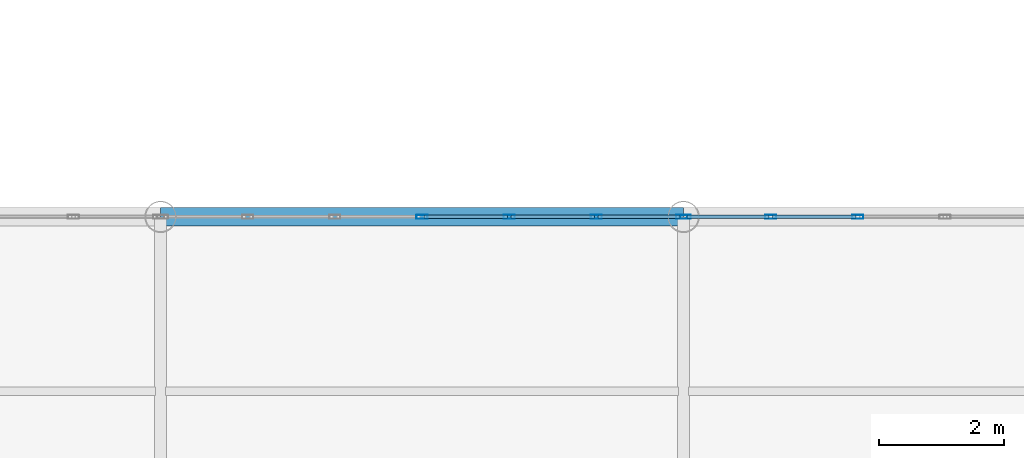
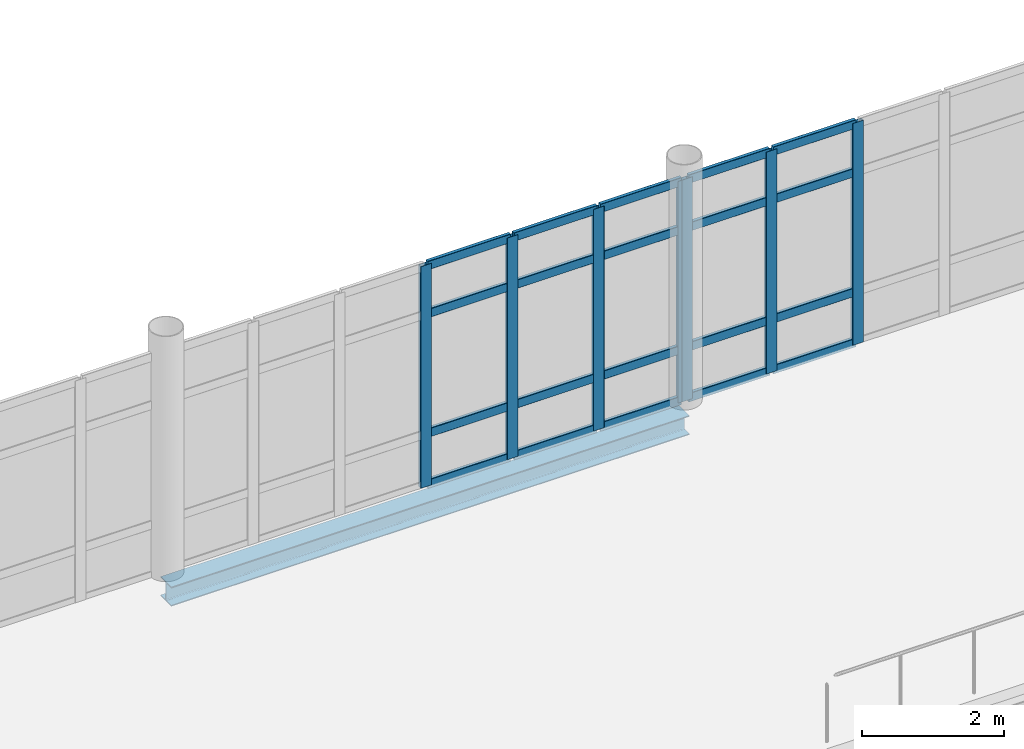
# One storey, part 69 of 163: 27 members, 1 beam, 2 elements without a shape of their own.
"""IFC4 building model written with IfcOpenShell, lengths in metres."""

from ifc_helpers import new_model, si_unit, direction, frame, origin, origin_2d, place, context, subcontext, project, spatial, hollow_rectangle, i_section, extrude, material, layer, layer_set, material_profile, profile_set, type_object, element, aggregate, save


model = new_model("IFC4")

# Units and contexts
model_context = context("Model", 3, precision=1e-05, world=origin(), true_north=direction((0.0, 1.0)))
body_context = subcontext(model_context, "Body", "Model", "MODEL_VIEW")
ifc_project = project(units=[si_unit("LENGTHUNIT", "METRE"), si_unit("AREAUNIT", "SQUARE_METRE"), si_unit("VOLUMEUNIT", "CUBIC_METRE"), si_unit("PLANEANGLEUNIT", "RADIAN"), si_unit("MASSUNIT", "GRAM", prefix="KILO")], contexts=[model_context])

# Site, building, storey
site_placement = place(None, origin())
site = spatial("IfcSite", under=ifc_project, at=site_placement, CompositionType="ELEMENT")
building_placement = place(site_placement, origin())
building = spatial("IfcBuilding", under=site, at=building_placement, Name="Qalvenar Corner Mobility Hub", CompositionType="ELEMENT")
storey_placement = place(building_placement, frame((0.0, 0.0, 4.800048828125)))
storey = spatial("IfcBuildingStorey", under=building, at=storey_placement, Name="L01", CompositionType="ELEMENT", Elevation=4.800048828125)

# Beam
ifc_material_1 = material(Name="Steel S355", Category="steel")
ifc_material_profile_1 = material_profile(ifc_material_1, i_section(OverallWidth=0.300048828125, OverallDepth=0.330078125, WebThickness=0.009521484375, FlangeThickness=0.0166015625, FilletRadius=0.027099609375, at=origin_2d()), Name="HEA340")
ifc_profile_set_1 = profile_set([ifc_material_profile_1], Name="Steel S355")
beam_type = type_object("IfcBeamType", Name="BM-SPN340", PredefinedType="SPANDREL", material=ifc_profile_set_1)
beam_placement = place(storey_placement, frame((84.0, 33.60009765625, -0.344970703125), z_axis=(1.0, 0.0, 0.0), x_axis=(0.0, 1.0, 0.0)))
element("IfcBeam", 1, at=beam_placement, inside=storey, type_object=beam_type, Name="Primary Steel Girder GX-0954", PredefinedType="SPANDREL", context=body_context, shape_type="SweptSolid", body=[
    extrude(i_section(OverallWidth=0.300048828125, OverallDepth=0.330078125, WebThickness=0.009521484375, FlangeThickness=0.0166015625, FilletRadius=0.027099609375, at=origin_2d()), origin(), (0.0, 0.0, 1.0), 8.39990234375),
])

# Curtain wall, members
ifc_material_2 = material(Name="Anodised Aluminium and Low-E Glazing", Category="aluminium")
ifc_layer = layer(ifc_material_2, 0.179931640625)
ifc_layer_set = layer_set([ifc_layer], Name="Anodised Aluminium and Low-E Glazing")
curtain_wall_type = type_object("IfcCurtainWallType", Name="CW-CONC-84X42", PredefinedType="NOTDEFINED", material=ifc_layer_set)
curtain_wall_1_placement = place(storey_placement, origin())
curtain_wall_1 = element("IfcCurtainWall", 2, at=curtain_wall_1_placement, inside=storey, type_object=curtain_wall_type, Name="Glazed Curtain Wall CW-V1-L01-N4", PredefinedType="NOTDEFINED")
ifc_material_3 = material(Name="Anodised Aluminium 6063-T6", Category="aluminium")
ifc_material_profile_2 = material_profile(ifc_material_3, hollow_rectangle(XDim=0.06494140625, YDim=0.179931640625, WallThickness=0.00390625, InnerFilletRadius=0.00390625, OuterFilletRadius=0.008056640625, at=origin_2d()), Name="RHS180x65x4")
ifc_profile_set_2 = profile_set([ifc_material_profile_2], Name="Anodised Aluminium 6063-T6")
member_type_1 = type_object("IfcMemberType", Name="CW-MUL180", PredefinedType="MULLION", material=ifc_profile_set_2)
member_1_placement = place(storey_placement, frame((92.3701171875, 33.60009765625, 0.0), z_axis=(0.0, 0.0, 1.0), x_axis=(0.0, -1.0, 0.0)))
member_1 = element("IfcMember", 3, at=member_1_placement, type_object=member_type_1, Name="CW-02 mullion 1", PredefinedType="MULLION", context=body_context, shape_type="SweptSolid", body=[
    extrude(hollow_rectangle(XDim=0.06494140625, YDim=0.179931640625, WallThickness=0.00390625, InnerFilletRadius=0.00390625, OuterFilletRadius=0.008056640625, at=origin_2d()), origin(), (0.0, 0.0, 1.0), 3.800048828125),
])
member_2_placement = place(storey_placement, frame((91.0, 33.60009765625, 0.0), z_axis=(0.0, 0.0, 1.0), x_axis=(0.0, -1.0, 0.0)))
member_2 = element("IfcMember", 4, at=member_2_placement, type_object=member_type_1, Name="CW-02 mullion 2", PredefinedType="MULLION", context=body_context, shape_type="SweptSolid", body=[
    extrude(hollow_rectangle(XDim=0.06494140625, YDim=0.179931640625, WallThickness=0.00390625, InnerFilletRadius=0.00390625, OuterFilletRadius=0.008056640625, at=origin_2d()), origin(), (0.0, 0.0, 1.0), 3.800048828125),
])
member_3_placement = place(storey_placement, frame((89.60009765625, 33.60009765625, 0.0), z_axis=(0.0, 0.0, 1.0), x_axis=(0.0, -1.0, 0.0)))
member_3 = element("IfcMember", 5, at=member_3_placement, type_object=member_type_1, Name="CW-02 mullion 3", PredefinedType="MULLION", context=body_context, shape_type="SweptSolid", body=[
    extrude(hollow_rectangle(XDim=0.06494140625, YDim=0.179931640625, WallThickness=0.00390625, InnerFilletRadius=0.00390625, OuterFilletRadius=0.008056640625, at=origin_2d()), origin(), (0.0, 0.0, 1.0), 3.800048828125),
])
member_4_placement = place(storey_placement, frame((88.199951171875, 33.60009765625, 0.0), z_axis=(0.0, 0.0, 1.0), x_axis=(0.0, -1.0, 0.0)))
member_4 = element("IfcMember", 6, at=member_4_placement, type_object=member_type_1, Name="CW-02 mullion 4", PredefinedType="MULLION", context=body_context, shape_type="SweptSolid", body=[
    extrude(hollow_rectangle(XDim=0.06494140625, YDim=0.179931640625, WallThickness=0.00390625, InnerFilletRadius=0.00390625, OuterFilletRadius=0.008056640625, at=origin_2d()), origin(), (0.0, 0.0, 1.0), 3.800048828125),
])

curtain_wall_2_placement = place(storey_placement, origin())
curtain_wall_2 = element("IfcCurtainWall", 7, at=curtain_wall_2_placement, inside=storey, type_object=curtain_wall_type, Name="Glazed Curtain Wall CW-V1-L01-N5", PredefinedType="NOTDEFINED")
member_5_placement = place(storey_placement, frame((95.199951171875, 33.60009765625, 0.0), z_axis=(0.0, 0.0, 1.0), x_axis=(0.0, -1.0, 0.0)))
member_5 = element("IfcMember", 8, at=member_5_placement, type_object=member_type_1, Name="CW-02 mullion 5", PredefinedType="MULLION", context=body_context, shape_type="SweptSolid", body=[
    extrude(hollow_rectangle(XDim=0.06494140625, YDim=0.179931640625, WallThickness=0.00390625, InnerFilletRadius=0.00390625, OuterFilletRadius=0.008056640625, at=origin_2d()), origin(), (0.0, 0.0, 1.0), 3.800048828125),
])
member_6_placement = place(storey_placement, frame((93.800048828125, 33.60009765625, 0.0), z_axis=(0.0, 0.0, 1.0), x_axis=(0.0, -1.0, 0.0)))
member_6 = element("IfcMember", 9, at=member_6_placement, type_object=member_type_1, Name="CW-02 mullion 6", PredefinedType="MULLION", context=body_context, shape_type="SweptSolid", body=[
    extrude(hollow_rectangle(XDim=0.06494140625, YDim=0.179931640625, WallThickness=0.00390625, InnerFilletRadius=0.00390625, OuterFilletRadius=0.008056640625, at=origin_2d()), origin(), (0.0, 0.0, 1.0), 3.800048828125),
])
member_7_placement = place(storey_placement, frame((92.429931640625, 33.60009765625, 0.0), z_axis=(0.0, 0.0, 1.0), x_axis=(0.0, -1.0, 0.0)))
member_7 = element("IfcMember", 10, at=member_7_placement, type_object=member_type_1, Name="CW-02 mullion 7", PredefinedType="MULLION", context=body_context, shape_type="SweptSolid", body=[
    extrude(hollow_rectangle(XDim=0.06494140625, YDim=0.179931640625, WallThickness=0.00390625, InnerFilletRadius=0.00390625, OuterFilletRadius=0.008056640625, at=origin_2d()), origin(), (0.0, 0.0, 1.0), 3.800048828125),
])

# Member
ifc_material_profile_3 = material_profile(ifc_material_3, hollow_rectangle(XDim=0.06005859375, YDim=0.14990234375, WallThickness=0.00341796875, InnerFilletRadius=0.00341796875, OuterFilletRadius=0.007080078125, at=origin_2d()), Name="RHS150x60x3.5")
ifc_profile_set_3 = profile_set([ifc_material_profile_3], Name="Anodised Aluminium 6063-T6")
member_type_2 = type_object("IfcMemberType", Name="CW-TRN150", PredefinedType="USERDEFINED", material=ifc_profile_set_3)
member_8_placement = place(storey_placement, frame((92.340087890625, 33.60009765625, 0.02734375), z_axis=(-1.0, 0.0, 0.0), x_axis=(0.0, -1.0, 0.0)))
member_8 = element("IfcMember", 11, at=member_8_placement, type_object=member_type_2, Name="CW-02 transom 1.1", ObjectType="TRANSOM", PredefinedType="USERDEFINED", context=body_context, shape_type="SweptSolid", body=[
    extrude(hollow_rectangle(XDim=0.06005859375, YDim=0.14990234375, WallThickness=0.00341796875, InnerFilletRadius=0.00341796875, OuterFilletRadius=0.007080078125, at=origin_2d()), origin(), (0.0, 0.0, 1.0), 1.31005859375),
])

member_9_placement = place(storey_placement, frame((92.340087890625, 33.60009765625, 0.89990234375), z_axis=(-1.0, 0.0, 0.0), x_axis=(0.0, -1.0, 0.0)))
member_9 = element("IfcMember", 12, at=member_9_placement, type_object=member_type_2, Name="CW-02 transom 1.2", ObjectType="TRANSOM", PredefinedType="USERDEFINED", context=body_context, shape_type="SweptSolid", body=[
    extrude(hollow_rectangle(XDim=0.06005859375, YDim=0.14990234375, WallThickness=0.00341796875, InnerFilletRadius=0.00341796875, OuterFilletRadius=0.007080078125, at=origin_2d()), origin(), (0.0, 0.0, 1.0), 1.31005859375),
])

member_10_placement = place(storey_placement, frame((92.340087890625, 33.60009765625, 2.949951171875), z_axis=(-1.0, 0.0, 0.0), x_axis=(0.0, -1.0, 0.0)))
member_10 = element("IfcMember", 13, at=member_10_placement, type_object=member_type_2, Name="CW-02 transom 1.3", ObjectType="TRANSOM", PredefinedType="USERDEFINED", context=body_context, shape_type="SweptSolid", body=[
    extrude(hollow_rectangle(XDim=0.06005859375, YDim=0.14990234375, WallThickness=0.00341796875, InnerFilletRadius=0.00341796875, OuterFilletRadius=0.007080078125, at=origin_2d()), origin(), (0.0, 0.0, 1.0), 1.31005859375),
])

member_11_placement = place(storey_placement, frame((92.340087890625, 33.60009765625, 3.7724609375), z_axis=(-1.0, 0.0, 0.0), x_axis=(0.0, -1.0, 0.0)))
member_11 = element("IfcMember", 14, at=member_11_placement, type_object=member_type_2, Name="CW-02 transom 1.4", ObjectType="TRANSOM", PredefinedType="USERDEFINED", context=body_context, shape_type="SweptSolid", body=[
    extrude(hollow_rectangle(XDim=0.06005859375, YDim=0.14990234375, WallThickness=0.00341796875, InnerFilletRadius=0.00341796875, OuterFilletRadius=0.007080078125, at=origin_2d()), origin(), (0.0, 0.0, 1.0), 1.31005859375),
])

member_12_placement = place(storey_placement, frame((90.969970703125, 33.60009765625, 0.02734375), z_axis=(-1.0, 0.0, 0.0), x_axis=(0.0, -1.0, 0.0)))
member_12 = element("IfcMember", 15, at=member_12_placement, type_object=member_type_2, Name="CW-02 transom 2.1", ObjectType="TRANSOM", PredefinedType="USERDEFINED", context=body_context, shape_type="SweptSolid", body=[
    extrude(hollow_rectangle(XDim=0.06005859375, YDim=0.14990234375, WallThickness=0.00341796875, InnerFilletRadius=0.00341796875, OuterFilletRadius=0.007080078125, at=origin_2d()), origin(), (0.0, 0.0, 1.0), 1.340087890625),
])

member_13_placement = place(storey_placement, frame((90.969970703125, 33.60009765625, 0.89990234375), z_axis=(-1.0, 0.0, 0.0), x_axis=(0.0, -1.0, 0.0)))
member_13 = element("IfcMember", 16, at=member_13_placement, type_object=member_type_2, Name="CW-02 transom 2.2", ObjectType="TRANSOM", PredefinedType="USERDEFINED", context=body_context, shape_type="SweptSolid", body=[
    extrude(hollow_rectangle(XDim=0.06005859375, YDim=0.14990234375, WallThickness=0.00341796875, InnerFilletRadius=0.00341796875, OuterFilletRadius=0.007080078125, at=origin_2d()), origin(), (0.0, 0.0, 1.0), 1.340087890625),
])

member_14_placement = place(storey_placement, frame((90.969970703125, 33.60009765625, 2.949951171875), z_axis=(-1.0, 0.0, 0.0), x_axis=(0.0, -1.0, 0.0)))
member_14 = element("IfcMember", 17, at=member_14_placement, type_object=member_type_2, Name="CW-02 transom 2.3", ObjectType="TRANSOM", PredefinedType="USERDEFINED", context=body_context, shape_type="SweptSolid", body=[
    extrude(hollow_rectangle(XDim=0.06005859375, YDim=0.14990234375, WallThickness=0.00341796875, InnerFilletRadius=0.00341796875, OuterFilletRadius=0.007080078125, at=origin_2d()), origin(), (0.0, 0.0, 1.0), 1.340087890625),
])

member_15_placement = place(storey_placement, frame((90.969970703125, 33.60009765625, 3.7724609375), z_axis=(-1.0, 0.0, 0.0), x_axis=(0.0, -1.0, 0.0)))
member_15 = element("IfcMember", 18, at=member_15_placement, type_object=member_type_2, Name="CW-02 transom 2.4", ObjectType="TRANSOM", PredefinedType="USERDEFINED", context=body_context, shape_type="SweptSolid", body=[
    extrude(hollow_rectangle(XDim=0.06005859375, YDim=0.14990234375, WallThickness=0.00341796875, InnerFilletRadius=0.00341796875, OuterFilletRadius=0.007080078125, at=origin_2d()), origin(), (0.0, 0.0, 1.0), 1.340087890625),
])

member_16_placement = place(storey_placement, frame((89.570068359375, 33.60009765625, 0.02734375), z_axis=(-1.0, 0.0, 0.0), x_axis=(0.0, -1.0, 0.0)))
member_16 = element("IfcMember", 19, at=member_16_placement, type_object=member_type_2, Name="CW-02 transom 3.1", ObjectType="TRANSOM", PredefinedType="USERDEFINED", context=body_context, shape_type="SweptSolid", body=[
    extrude(hollow_rectangle(XDim=0.06005859375, YDim=0.14990234375, WallThickness=0.00341796875, InnerFilletRadius=0.00341796875, OuterFilletRadius=0.007080078125, at=origin_2d()), origin(), (0.0, 0.0, 1.0), 1.340087890625),
])

member_17_placement = place(storey_placement, frame((89.570068359375, 33.60009765625, 0.89990234375), z_axis=(-1.0, 0.0, 0.0), x_axis=(0.0, -1.0, 0.0)))
member_17 = element("IfcMember", 20, at=member_17_placement, type_object=member_type_2, Name="CW-02 transom 3.2", ObjectType="TRANSOM", PredefinedType="USERDEFINED", context=body_context, shape_type="SweptSolid", body=[
    extrude(hollow_rectangle(XDim=0.06005859375, YDim=0.14990234375, WallThickness=0.00341796875, InnerFilletRadius=0.00341796875, OuterFilletRadius=0.007080078125, at=origin_2d()), origin(), (0.0, 0.0, 1.0), 1.340087890625),
])

member_18_placement = place(storey_placement, frame((89.570068359375, 33.60009765625, 2.949951171875), z_axis=(-1.0, 0.0, 0.0), x_axis=(0.0, -1.0, 0.0)))
member_18 = element("IfcMember", 21, at=member_18_placement, type_object=member_type_2, Name="CW-02 transom 3.3", ObjectType="TRANSOM", PredefinedType="USERDEFINED", context=body_context, shape_type="SweptSolid", body=[
    extrude(hollow_rectangle(XDim=0.06005859375, YDim=0.14990234375, WallThickness=0.00341796875, InnerFilletRadius=0.00341796875, OuterFilletRadius=0.007080078125, at=origin_2d()), origin(), (0.0, 0.0, 1.0), 1.340087890625),
])

member_19_placement = place(storey_placement, frame((89.570068359375, 33.60009765625, 3.7724609375), z_axis=(-1.0, 0.0, 0.0), x_axis=(0.0, -1.0, 0.0)))
member_19 = element("IfcMember", 22, at=member_19_placement, type_object=member_type_2, Name="CW-02 transom 3.4", ObjectType="TRANSOM", PredefinedType="USERDEFINED", context=body_context, shape_type="SweptSolid", body=[
    extrude(hollow_rectangle(XDim=0.06005859375, YDim=0.14990234375, WallThickness=0.00341796875, InnerFilletRadius=0.00341796875, OuterFilletRadius=0.007080078125, at=origin_2d()), origin(), (0.0, 0.0, 1.0), 1.340087890625),
])

aggregate(curtain_wall_1, [member_1, member_2, member_3, member_4, member_8, member_9, member_10, member_11, member_12, member_13, member_14, member_15, member_16, member_17, member_18, member_19])

member_20_placement = place(storey_placement, frame((95.169921875, 33.60009765625, 0.02734375), z_axis=(-1.0, 0.0, 0.0), x_axis=(0.0, -1.0, 0.0)))
member_20 = element("IfcMember", 23, at=member_20_placement, type_object=member_type_2, Name="CW-02 transom 5.1", ObjectType="TRANSOM", PredefinedType="USERDEFINED", context=body_context, shape_type="SweptSolid", body=[
    extrude(hollow_rectangle(XDim=0.06005859375, YDim=0.14990234375, WallThickness=0.00341796875, InnerFilletRadius=0.00341796875, OuterFilletRadius=0.007080078125, at=origin_2d()), origin(), (0.0, 0.0, 1.0), 1.33984375),
])

member_21_placement = place(storey_placement, frame((95.169921875, 33.60009765625, 0.89990234375), z_axis=(-1.0, 0.0, 0.0), x_axis=(0.0, -1.0, 0.0)))
member_21 = element("IfcMember", 24, at=member_21_placement, type_object=member_type_2, Name="CW-02 transom 5.2", ObjectType="TRANSOM", PredefinedType="USERDEFINED", context=body_context, shape_type="SweptSolid", body=[
    extrude(hollow_rectangle(XDim=0.06005859375, YDim=0.14990234375, WallThickness=0.00341796875, InnerFilletRadius=0.00341796875, OuterFilletRadius=0.007080078125, at=origin_2d()), origin(), (0.0, 0.0, 1.0), 1.33984375),
])

member_22_placement = place(storey_placement, frame((95.169921875, 33.60009765625, 2.949951171875), z_axis=(-1.0, 0.0, 0.0), x_axis=(0.0, -1.0, 0.0)))
member_22 = element("IfcMember", 25, at=member_22_placement, type_object=member_type_2, Name="CW-02 transom 5.3", ObjectType="TRANSOM", PredefinedType="USERDEFINED", context=body_context, shape_type="SweptSolid", body=[
    extrude(hollow_rectangle(XDim=0.06005859375, YDim=0.14990234375, WallThickness=0.00341796875, InnerFilletRadius=0.00341796875, OuterFilletRadius=0.007080078125, at=origin_2d()), origin(), (0.0, 0.0, 1.0), 1.33984375),
])

member_23_placement = place(storey_placement, frame((95.169921875, 33.60009765625, 3.7724609375), z_axis=(-1.0, 0.0, 0.0), x_axis=(0.0, -1.0, 0.0)))
member_23 = element("IfcMember", 26, at=member_23_placement, type_object=member_type_2, Name="CW-02 transom 5.4", ObjectType="TRANSOM", PredefinedType="USERDEFINED", context=body_context, shape_type="SweptSolid", body=[
    extrude(hollow_rectangle(XDim=0.06005859375, YDim=0.14990234375, WallThickness=0.00341796875, InnerFilletRadius=0.00341796875, OuterFilletRadius=0.007080078125, at=origin_2d()), origin(), (0.0, 0.0, 1.0), 1.33984375),
])

member_24_placement = place(storey_placement, frame((93.77001953125, 33.60009765625, 0.02734375), z_axis=(-1.0, 0.0, 0.0), x_axis=(0.0, -1.0, 0.0)))
member_24 = element("IfcMember", 27, at=member_24_placement, type_object=member_type_2, Name="CW-02 transom 6.1", ObjectType="TRANSOM", PredefinedType="USERDEFINED", context=body_context, shape_type="SweptSolid", body=[
    extrude(hollow_rectangle(XDim=0.06005859375, YDim=0.14990234375, WallThickness=0.00341796875, InnerFilletRadius=0.00341796875, OuterFilletRadius=0.007080078125, at=origin_2d()), origin(), (0.0, 0.0, 1.0), 1.31005859375),
])

member_25_placement = place(storey_placement, frame((93.77001953125, 33.60009765625, 0.89990234375), z_axis=(-1.0, 0.0, 0.0), x_axis=(0.0, -1.0, 0.0)))
member_25 = element("IfcMember", 28, at=member_25_placement, type_object=member_type_2, Name="CW-02 transom 6.2", ObjectType="TRANSOM", PredefinedType="USERDEFINED", context=body_context, shape_type="SweptSolid", body=[
    extrude(hollow_rectangle(XDim=0.06005859375, YDim=0.14990234375, WallThickness=0.00341796875, InnerFilletRadius=0.00341796875, OuterFilletRadius=0.007080078125, at=origin_2d()), origin(), (0.0, 0.0, 1.0), 1.31005859375),
])

member_26_placement = place(storey_placement, frame((93.77001953125, 33.60009765625, 2.949951171875), z_axis=(-1.0, 0.0, 0.0), x_axis=(0.0, -1.0, 0.0)))
member_26 = element("IfcMember", 29, at=member_26_placement, type_object=member_type_2, Name="CW-02 transom 6.3", ObjectType="TRANSOM", PredefinedType="USERDEFINED", context=body_context, shape_type="SweptSolid", body=[
    extrude(hollow_rectangle(XDim=0.06005859375, YDim=0.14990234375, WallThickness=0.00341796875, InnerFilletRadius=0.00341796875, OuterFilletRadius=0.007080078125, at=origin_2d()), origin(), (0.0, 0.0, 1.0), 1.31005859375),
])

member_27_placement = place(storey_placement, frame((93.77001953125, 33.60009765625, 3.7724609375), z_axis=(-1.0, 0.0, 0.0), x_axis=(0.0, -1.0, 0.0)))
member_27 = element("IfcMember", 30, at=member_27_placement, type_object=member_type_2, Name="CW-02 transom 6.4", ObjectType="TRANSOM", PredefinedType="USERDEFINED", context=body_context, shape_type="SweptSolid", body=[
    extrude(hollow_rectangle(XDim=0.06005859375, YDim=0.14990234375, WallThickness=0.00341796875, InnerFilletRadius=0.00341796875, OuterFilletRadius=0.007080078125, at=origin_2d()), origin(), (0.0, 0.0, 1.0), 1.31005859375),
])

aggregate(curtain_wall_2, [member_5, member_6, member_7, member_20, member_21, member_22, member_23, member_24, member_25, member_26, member_27])

save(model, "model.ifc")
